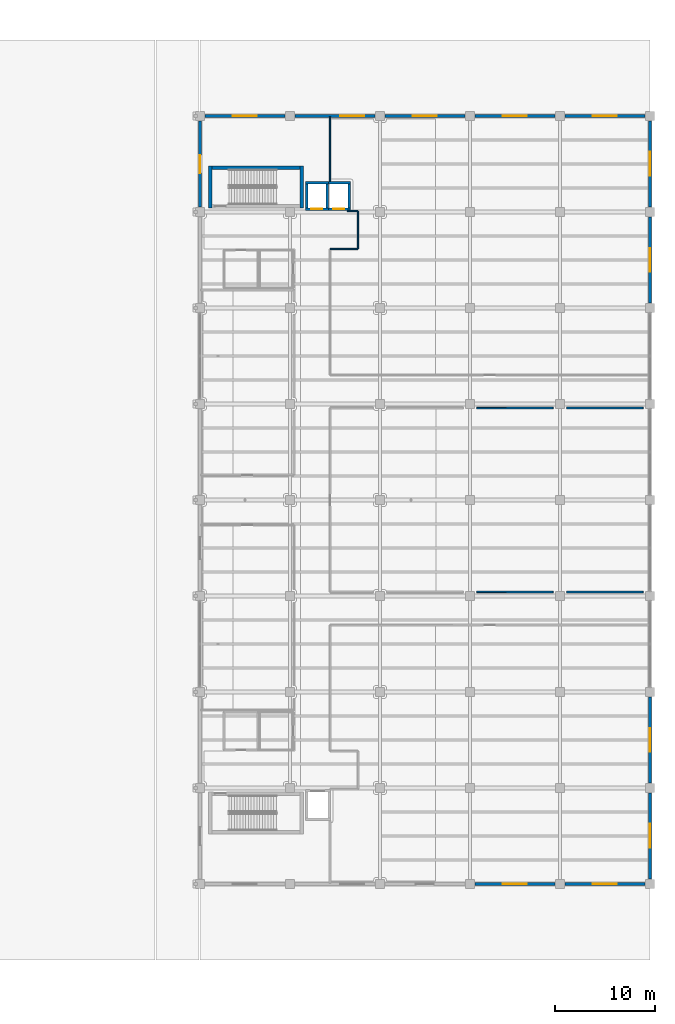
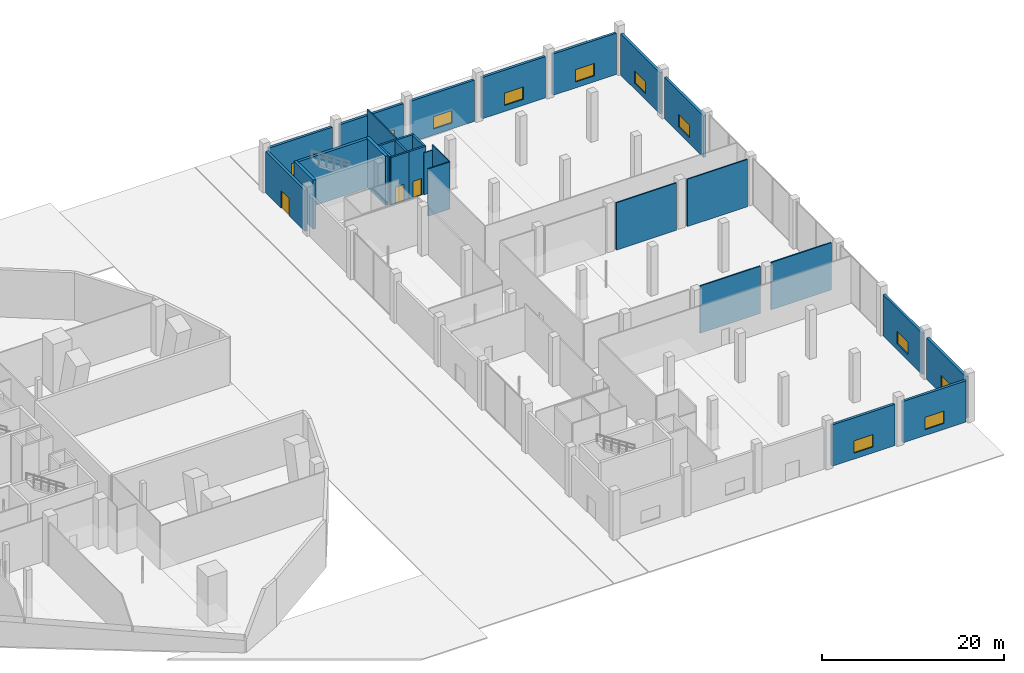
# One storey, part 33 of 45: 30 walls, 11 windows, 3 doors, 14 openings.
"""IFC4 building model written with IfcOpenShell, lengths in metres."""

import ifcopenshell
import ifcopenshell.guid

model = None  # the IFC model being written
_history = None  # IfcOwnerHistory: only IFC2X3 demands one
_inside = {}  # id of a spatial element -> (the spatial element, [elements in it])
_under = {}  # id of a project, library or spatial element -> (it, [spatial elements below it])
_declared = {}  # id of a project -> (the project, [libraries it declares])
_typed = {}  # id of a type object -> (the type object, [elements of that type])
_made_of = {}  # id of a material, layer set ... -> (it, [elements and type objects made of it])


def new_model(schema):
    """Start an empty IFC model of exactly this schema.

    Asked for "IFC4X3", IfcOpenShell would pick the latest addendum, in which some entities
    have other attributes; the version numbers below select the first issue.
    IFC2X3 requires an IfcOwnerHistory on every rooted entity: one is made here for all.
    """
    global model, _history
    if schema == "IFC4X3":
        model = ifcopenshell.file(schema_version=(4, 3, 0, 0))
    else:
        model = ifcopenshell.file(schema=schema)
    _inside.clear()
    _under.clear()
    _declared.clear()
    _typed.clear()
    _made_of.clear()
    _history = None
    if model.schema == "IFC2X3":
        org = make("IfcOrganization", Name="unknown")
        user = make(
            "IfcPersonAndOrganization",
            ThePerson=make("IfcPerson", FamilyName="unknown"),
            TheOrganization=org,
        )
        app = make(
            "IfcApplication",
            ApplicationDeveloper=org,
            Version="unknown",
            ApplicationFullName="unknown",
            ApplicationIdentifier="unknown",
        )
        _history = make(
            "IfcOwnerHistory",
            OwningUser=user,
            OwningApplication=app,
            ChangeAction="ADDED",
            CreationDate=0,
        )
    return model


def make(cls, **values):
    """One entity of the class cls with the attributes given. An attribute that is None is left unset."""
    return model.create_entity(
        cls, **{name: value for name, value in values.items() if value is not None}
    )


def rooted(cls, **values):
    """An entity with a GlobalId (a new one), such as an element, a storey or a relation."""
    return make(cls, GlobalId=ifcopenshell.guid.new(), OwnerHistory=_history, **values)


def si_unit(unit_type, name, prefix=None):
    """IfcSIUnit, for example si_unit("LENGTHUNIT", "METRE", prefix="MILLI")."""
    return make("IfcSIUnit", UnitType=unit_type, Prefix=prefix, Name=name)


def assignment(units):
    """IfcUnitAssignment: the units of a project."""
    return None if units is None else make("IfcUnitAssignment", Units=units)


def point(xyz):
    """IfcCartesianPoint."""
    return None if xyz is None else make("IfcCartesianPoint", Coordinates=xyz)


def direction(xyz):
    """IfcDirection."""
    return None if xyz is None else make("IfcDirection", DirectionRatios=xyz)


def frame(location, z_axis=None, x_axis=None):
    """IfcAxis2Placement3D, a coordinate frame: its origin and axes. An axis left out is left unset."""
    return make(
        "IfcAxis2Placement3D",
        Location=point(location),
        Axis=direction(z_axis),
        RefDirection=direction(x_axis),
    )


def frame_2d(location, x_axis=None):
    """IfcAxis2Placement2D, a coordinate frame in the plane: its origin and x axis."""
    return make(
        "IfcAxis2Placement2D", Location=point(location), RefDirection=direction(x_axis)
    )


def origin():
    """The frame at (0, 0, 0) with its axes left unset."""
    return frame((0.0, 0.0, 0.0))


def place(relative_to, where):
    """IfcLocalPlacement: puts the frame where relative to a parent placement (None: the world)."""
    return make(
        "IfcLocalPlacement", PlacementRelTo=relative_to, RelativePlacement=where
    )


def context(
    kind, dimensions, precision=None, world=None, true_north=None, identifier=None
):
    """IfcGeometricRepresentationContext, for example the 3D "Model" context."""
    return make(
        "IfcGeometricRepresentationContext",
        ContextIdentifier=identifier,
        ContextType=kind,
        CoordinateSpaceDimension=dimensions,
        Precision=precision,
        WorldCoordinateSystem=world,
        TrueNorth=true_north,
    )


def subcontext(parent, identifier, kind, view, scale=None):
    """IfcGeometricRepresentationSubContext, for example "Body" below "Model"."""
    return make(
        "IfcGeometricRepresentationSubContext",
        ContextIdentifier=identifier,
        ContextType=kind,
        ParentContext=parent,
        TargetScale=scale,
        TargetView=view,
    )


def project(units=None, contexts=None):
    """IfcProject with its units and contexts."""
    return rooted(
        "IfcProject",
        Name="project",
        RepresentationContexts=contexts,
        UnitsInContext=assignment(units),
    )


def spatial(cls, under=None, at=None, **own):
    """A site, building, storey or space (cls), placed at a placement, below another one or the project."""
    s = rooted(cls, ObjectPlacement=at, **own)
    if under is not None:
        _under.setdefault(under.id(), (under, []))[1].append(s)
    return s


def profile(cls, at=None, kind="AREA", **sizes):
    """A parametric profile (cls). Its sizes go by their IFC names, for example OverallWidth=200.0."""
    return make(cls, ProfileType=kind, Position=at, **sizes)


def rectangle(**sizes):
    """IfcRectangleProfileDef."""
    return profile("IfcRectangleProfileDef", **sizes)


def extrude(swept, where, along, depth):
    """IfcExtrudedAreaSolid: the profile swept, set in the frame where, extruded along a direction by depth."""
    return make(
        "IfcExtrudedAreaSolid",
        SweptArea=swept,
        Position=where,
        ExtrudedDirection=direction(along),
        Depth=depth,
    )


def shape(context_of_items, identifier, shape_type, items):
    """IfcShapeRepresentation: the items that make up one representation, for example the "Body"."""
    return make(
        "IfcShapeRepresentation",
        ContextOfItems=context_of_items,
        RepresentationIdentifier=identifier,
        RepresentationType=shape_type,
        Items=items,
    )


def material(Name=None, Category=None):
    """IfcMaterial."""
    return make("IfcMaterial", Name=Name, Category=Category)


def layer(
    of_material, thickness, ventilated=None, Name=None, Category=None, Priority=None
):
    """IfcMaterialLayer: one layer of a wall or slab, of a material (None: an air gap)."""
    return make(
        "IfcMaterialLayer",
        Material=of_material,
        LayerThickness=thickness,
        IsVentilated=ventilated,
        Name=Name,
        Category=Category,
        Priority=Priority,
    )


def layer_set(layers, Name=None):
    """IfcMaterialLayerSet."""
    return make("IfcMaterialLayerSet", MaterialLayers=layers, LayerSetName=Name)


def made_of(thing, what):
    """Note that an element or type object is made of a material, layer set ...; save() writes the relation."""
    if what is not None:
        _made_of.setdefault(what.id(), (what, []))[1].append(thing)
    return thing


def type_object(cls, material=None, **own):
    """A type object (cls), such as IfcWallType, which elements share."""
    return made_of(rooted(cls, **own), material)


def element(
    cls,
    number,
    at=None,
    inside=None,
    cuts=None,
    type_object=None,
    material=None,
    context=None,
    identifier="Body",
    shape_type=None,
    held_by="IfcProductDefinitionShape",
    body=None,
    shapes=None,
    **own,
):
    """One element of the class cls, such as IfcWall. Its Tag is "e" and its number.

    at: its placement. inside: the storey or other place that contains it. cuts: it is an
    opening in that element (IfcRelVoidsElement). A single representation is given by context,
    identifier, shape_type and body (its items); several are given by shapes. held_by: the class
    of the entity that holds the representations. save() writes the other relations.
    """
    e = rooted(cls, Tag="e%d" % number, ObjectPlacement=at, **own)
    if body is not None:
        shapes = [shape(context, identifier, shape_type, body)]
    if shapes is not None:
        e.Representation = make(held_by, Representations=shapes)
    if inside is not None:
        _inside.setdefault(inside.id(), (inside, []))[1].append(e)
    if cuts is not None:
        rooted(
            "IfcRelVoidsElement", RelatingBuildingElement=cuts, RelatedOpeningElement=e
        )
    if type_object is not None:
        _typed.setdefault(type_object.id(), (type_object, []))[1].append(e)
    return made_of(e, material)


def fill(opening, filler):
    """IfcRelFillsElement: the door or window that sits in an opening."""
    return rooted(
        "IfcRelFillsElement",
        RelatingOpeningElement=opening,
        RelatedBuildingElement=filler,
    )


def aggregate(whole, parts):
    """IfcRelAggregates: a whole, such as a stair, and the parts it consists of."""
    return rooted("IfcRelAggregates", RelatingObject=whole, RelatedObjects=parts)


def save(model, path):
    """Write the relations noted so far, then the file.

    IfcRelAggregates (storeys below a building ...), IfcRelContainedInSpatialStructure (elements
    in a storey), IfcRelDefinesByType, IfcRelAssociatesMaterial and IfcRelDeclares: one each for
    every whole, place, type object, material and project.
    """
    for whole, parts in _under.values():
        aggregate(whole, parts)
    for where, things in _inside.values():
        rooted(
            "IfcRelContainedInSpatialStructure",
            RelatedElements=things,
            RelatingStructure=where,
        )
    for kind, things in _typed.values():
        rooted("IfcRelDefinesByType", RelatedObjects=things, RelatingType=kind)
    for what, things in _made_of.values():
        rooted("IfcRelAssociatesMaterial", RelatedObjects=things, RelatingMaterial=what)
    for by, libraries in _declared.values():
        rooted("IfcRelDeclares", RelatingContext=by, RelatedDefinitions=libraries)
    model.write(path)


model = new_model("IFC4")

# Units and contexts
model_context = context("Model", 3, precision=1e-05, world=origin(), true_north=direction((0.0, 1.0)))
body_context = subcontext(model_context, "Body", "Model", "MODEL_VIEW")
ifc_project = project(units=[si_unit("LENGTHUNIT", "METRE"), si_unit("AREAUNIT", "SQUARE_METRE"), si_unit("VOLUMEUNIT", "CUBIC_METRE"), si_unit("PLANEANGLEUNIT", "RADIAN"), si_unit("MASSUNIT", "GRAM", prefix="KILO")], contexts=[model_context])

# Site, building, storey
site_placement = place(None, origin())
site = spatial("IfcSite", under=ifc_project, at=site_placement, CompositionType="ELEMENT")
building_placement = place(site_placement, origin())
building = spatial("IfcBuilding", under=site, at=building_placement, Name="Qorvath Tower", CompositionType="ELEMENT")
storey_placement = place(building_placement, origin())
storey = spatial("IfcBuildingStorey", under=building, at=storey_placement, Name="L00", CompositionType="ELEMENT", Elevation=0.0)

# Walls
ifc_material_1 = material(Name="Double acoustic gypsum board on steel studs", Category="steel")
ifc_layer_1 = layer(ifc_material_1, 0.159912109375)
ifc_layer_set_1 = layer_set([ifc_layer_1], Name="IW-ACOUSTIC-160")
wall_type_1 = type_object("IfcWallType", Name="IW-ACOUSTIC-160", PredefinedType="PARTITIONING", material=ifc_layer_set_1)
for number, where, z_axis, x_axis, name in (
    (1, (69.074951171875, -9.199951171875, 0.0), (0.0, 0.0, 1.0), (1.0, 0.0, 0.0), "Interior Partition IW-LB-L00-034"),
    (2, (76.72509765625, 9.199951171875, 0.0), (0.0, 0.0, 1.0), (-1.0, 0.0, 0.0), "Interior Partition IW-LB-L00-035"),
    (3, (67.72509765625, 9.199951171875, 0.0), (0.0, 0.0, 1.0), (-0.999999445453, -0.001053134888, 0.0), "Interior Partition IW-LB-L00-036"),
    (4, (60.074951171875, -9.19189453125, 0.0), (0.0, 0.0, 1.0), (0.999999445453, -0.001053134888, 0.0), "Interior Partition IW-LB-L00-042"),
):
    element("IfcWall", number, at=place(storey_placement, frame(where, z_axis=z_axis, x_axis=x_axis)), inside=storey, type_object=wall_type_1, Name=name, PredefinedType="PARTITIONING", context=body_context, shape_type="SweptSolid", body=[
        extrude(rectangle(XDim=7.650146484375, YDim=0.159912109375, at=frame_2d((3.8251953125, 0.0))), origin(), (0.0, 0.0, 1.0), 6.340087890625),
    ])
ifc_material_2 = material(Name="Gypsum board on metal studs with mineral wool", Category="gypsum")
ifc_layer_2 = layer(ifc_material_2, 0.125)
ifc_layer_set_2 = layer_set([ifc_layer_2], Name="IW-PART-125")
wall_type_2 = type_object("IfcWallType", Name="IW-PART-125", PredefinedType="PARTITIONING", material=ifc_layer_set_2)
wall_1_placement = place(storey_placement, frame((48.18310546875, 28.907958984375, 0.0), z_axis=(0.0, 0.0, 1.0), x_axis=(-1.0, 0.0, 0.0)))
element("IfcWall", 5, at=wall_1_placement, inside=storey, type_object=wall_type_2, Name="Interior Partition IW-LB-L00-022", PredefinedType="PARTITIONING", context=body_context, shape_type="SweptSolid", body=[
    extrude(rectangle(XDim=1.05810546875, YDim=0.125, at=frame_2d((0.529052734375, 0.0))), origin(), (0.0, 0.0, 1.0), 5.6142578125),
])
wall_2_placement = place(storey_placement, frame((48.2080078125, 28.883056640625, 0.0), z_axis=(0.0, 0.0, 1.0), x_axis=(0.0, -1.0, 0.0)))
element("IfcWall", 6, at=wall_2_placement, inside=storey, type_object=wall_type_2, Name="Interior Partition IW-LB-L00-023", PredefinedType="PARTITIONING", context=body_context, shape_type="SweptSolid", body=[
    extrude(rectangle(XDim=3.745849609375, YDim=0.125, at=frame_2d((1.873046875, 0.0))), origin(), (0.0, 0.0, 1.0), 6.340087890625),
])
wall_3_placement = place(storey_placement, frame((45.43310546875, 25.112060546875, 0.0), z_axis=(0.0, 0.0, 1.0), x_axis=(1.0, 0.0, 0.0)))
element("IfcWall", 7, at=wall_3_placement, inside=storey, type_object=wall_type_2, Name="Interior Partition IW-LB-L00-024", PredefinedType="PARTITIONING", context=body_context, shape_type="SweptSolid", body=[
    extrude(rectangle(XDim=2.75, YDim=0.125, at=frame_2d((1.375, 0.0))), origin(), (0.0, 0.0, 1.0), 6.340087890625),
])
wall_4_placement = place(storey_placement, frame((45.39990234375, 38.320068359375, 0.0), z_axis=(0.0, 0.0, 1.0), x_axis=(0.0, -1.0, 0.0)))
element("IfcWall", 8, at=wall_4_placement, inside=storey, type_object=wall_type_2, Name="Interior Partition IW-LB-L00-027", PredefinedType="PARTITIONING", context=body_context, shape_type="SweptSolid", body=[
    extrude(rectangle(XDim=6.43505859375, YDim=0.125, at=frame_2d((3.217529296875, 0.0))), origin(), (0.0, 0.0, 1.0), 6.340087890625),
])

# Wall, opening, door
ifc_material_3 = material(Name="Concrete C60/75", Category="concrete")
ifc_layer_3 = layer(ifc_material_3, 0.260009765625)
ifc_layer_set_3 = layer_set([ifc_layer_3], Name="SW-SHAFT")
wall_type_3 = type_object("IfcWallType", Name="SW-SHAFT", PredefinedType="SHEAR", material=ifc_layer_set_3)
wall_5_placement = place(storey_placement, frame((45.239990234375, 29.080078125, 0.0), z_axis=(0.0, 0.0, 1.0), x_axis=(-1.0, 0.0, 0.0)))
wall_5 = element("IfcWall", 9, at=wall_5_placement, inside=storey, type_object=wall_type_3, Name="Hoistway Wall LL-1 L00 S", PredefinedType="SHEAR", context=body_context, shape_type="SweptSolid", body=[
    extrude(rectangle(XDim=2.280029296875, YDim=0.239990234375, at=frame_2d((1.14013671875, 0.0))), origin(), (0.0, 0.0, 1.0), 6.340087890625),
])
opening_1_placement = place(wall_5_placement, frame((0.58984375, 0.0, 0.0)))
opening_1 = element("IfcOpeningElement", 10, at=opening_1_placement, cuts=wall_5, Name="Opening LD-LL-1-L00", PredefinedType="OPENING", context=body_context, shape_type="SweptSolid", body=[
    extrude(rectangle(XDim=1.10009765625, YDim=2.199951171875, at=frame_2d((0.550048828125, 1.10009765625))), frame((0.0, 0.1298828125, 0.0), z_axis=(0.0, -1.0, 0.0), x_axis=(1.0, 0.0, 0.0)), (0.0, 0.0, 1.0), 0.260009765625),
])
ifc_material_4 = material(Name="Brushed stainless steel AISI 316", Category="steel")
door_type_1 = type_object("IfcDoorType", Name="LD-01", OperationType="NOTDEFINED", PredefinedType="DOOR", material=ifc_material_4)
door_1_placement = place(opening_1_placement, origin())
door_1 = element("IfcDoor", 11, at=door_1_placement, inside=storey, type_object=door_type_1, Name="Elevator Landing Sliding Door LD-LL-1-L00", OperationType="DOUBLE_DOOR_SLIDING", OverallHeight=2.199951171875, OverallWidth=1.10009765625, PredefinedType="DOOR", context=body_context, shape_type="SweptSolid", body=[
    extrude(rectangle(XDim=1.10009765625, YDim=2.199951171875, at=frame_2d((0.550048828125, 1.10009765625))), frame((0.0, 0.02490234375, 0.0), z_axis=(0.0, -1.0, 0.0), x_axis=(1.0, 0.0, 0.0)), (0.0, 0.0, 1.0), 0.050048828125),
])
fill(opening_1, door_1)

# Walls
wall_6_placement = place(storey_placement, frame((42.9599609375, 31.719970703125, 0.0), z_axis=(0.0, 0.0, 1.0), x_axis=(1.0, 0.0, 0.0)))
element("IfcWall", 12, at=wall_6_placement, inside=storey, type_object=wall_type_3, Name="Hoistway Wall LL-1 L00 N", PredefinedType="SHEAR", context=body_context, shape_type="SweptSolid", body=[
    extrude(rectangle(XDim=2.280029296875, YDim=0.239990234375, at=frame_2d((1.14013671875, 0.0))), origin(), (0.0, 0.0, 1.0), 6.340087890625),
])
for number, where, z_axis, x_axis, name in (
    (13, (43.080078125, 29.2119140625, 0.0), (0.0, 0.0, 1.0), (0.0, 1.0, 0.0), "Hoistway Wall LL-1 L00 W"),
    (14, (45.1201171875, 31.587890625, 0.0), (0.0, 0.0, 1.0), (0.0, -1.0, 0.0), "Hoistway Wall LL-1 L00 E"),
):
    element("IfcWall", number, at=place(storey_placement, frame(where, z_axis=z_axis, x_axis=x_axis)), inside=storey, type_object=wall_type_3, Name=name, PredefinedType="SHEAR", context=body_context, shape_type="SweptSolid", body=[
        extrude(rectangle(XDim=2.3759765625, YDim=0.239990234375, at=frame_2d((1.18798828125, 0.0))), origin(), (0.0, 0.0, 1.0), 6.340087890625),
    ])

# Wall, opening, door
wall_7_placement = place(storey_placement, frame((47.43994140625, 29.080078125, 0.0), z_axis=(0.0, 0.0, 1.0), x_axis=(-1.0, 0.0, 0.0)))
wall_7 = element("IfcWall", 15, at=wall_7_placement, inside=storey, type_object=wall_type_3, Name="Hoistway Wall LL-2 L00 S", PredefinedType="SHEAR", context=body_context, shape_type="SweptSolid", body=[
    extrude(rectangle(XDim=2.199951171875, YDim=0.239990234375, at=frame_2d((1.10009765625, 0.0))), origin(), (0.0, 0.0, 1.0), 6.340087890625),
])
opening_2_placement = place(wall_7_placement, frame((0.58984375, 0.0, 0.0)))
opening_2 = element("IfcOpeningElement", 16, at=opening_2_placement, cuts=wall_7, Name="Opening LD-LL-2-L00", PredefinedType="OPENING", context=body_context, shape_type="SweptSolid", body=[
    extrude(rectangle(XDim=1.10009765625, YDim=2.199951171875, at=frame_2d((0.550048828125, 1.10009765625))), frame((0.0, 0.1298828125, 0.0), z_axis=(0.0, -1.0, 0.0), x_axis=(1.0, 0.0, 0.0)), (0.0, 0.0, 1.0), 0.260009765625),
])
door_2_placement = place(opening_2_placement, origin())
door_2 = element("IfcDoor", 17, at=door_2_placement, inside=storey, type_object=door_type_1, Name="Elevator Landing Sliding Door LD-LL-2-L00", OperationType="DOUBLE_DOOR_SLIDING", OverallHeight=2.199951171875, OverallWidth=1.10009765625, PredefinedType="DOOR", context=body_context, shape_type="SweptSolid", body=[
    extrude(rectangle(XDim=1.10009765625, YDim=2.199951171875, at=frame_2d((0.550048828125, 1.10009765625))), frame((0.0, 0.02490234375, 0.0), z_axis=(0.0, -1.0, 0.0), x_axis=(1.0, 0.0, 0.0)), (0.0, 0.0, 1.0), 0.050048828125),
])
fill(opening_2, door_2)

# Walls
wall_8_placement = place(storey_placement, frame((45.239990234375, 31.719970703125, 0.0), z_axis=(0.0, 0.0, 1.0), x_axis=(1.0, 0.0, 0.0)))
element("IfcWall", 18, at=wall_8_placement, inside=storey, type_object=wall_type_3, Name="Hoistway Wall LL-2 L00 N", PredefinedType="SHEAR", context=body_context, shape_type="SweptSolid", body=[
    extrude(rectangle(XDim=2.199951171875, YDim=0.239990234375, at=frame_2d((1.10009765625, 0.0))), origin(), (0.0, 0.0, 1.0), 6.340087890625),
])
wall_9_placement = place(storey_placement, frame((47.320068359375, 31.587890625, 0.0), z_axis=(0.0, 0.0, 1.0), x_axis=(0.0, -1.0, 0.0)))
element("IfcWall", 19, at=wall_9_placement, inside=storey, type_object=wall_type_3, Name="Hoistway Wall LL-2 L00 E", PredefinedType="SHEAR", context=body_context, shape_type="SweptSolid", body=[
    extrude(rectangle(XDim=2.3759765625, YDim=0.239990234375, at=frame_2d((1.18798828125, 0.0))), origin(), (0.0, 0.0, 1.0), 6.340087890625),
])
ifc_material_5 = material(Name="Concrete C60/75", Category="concrete")
ifc_layer_4 = layer(ifc_material_5, 0.35009765625)
ifc_layer_set_4 = layer_set([ifc_layer_4], Name="SW-STAIR")
wall_type_4 = type_object("IfcWallType", Name="SW-STAIR", PredefinedType="SHEAR", material=ifc_layer_set_4)
for number, where, z_axis, x_axis, name in (
    (20, (33.425048828125, 33.409912109375, 0.0), (0.0, 0.0, 1.0), (0.0, -1.0, 0.0), "Stair LS1 Shear Wall L00 NEAR"),
    (21, (42.574951171875, 29.199951171875, 0.0), (0.0, 0.0, 1.0), (0.0, 1.0, 0.0), "Stair LS1 Shear Wall L00 FAR"),
):
    element("IfcWall", number, at=place(storey_placement, frame(where, z_axis=z_axis, x_axis=x_axis)), inside=storey, type_object=wall_type_4, Name=name, PredefinedType="SHEAR", context=body_context, shape_type="SweptSolid", body=[
        extrude(rectangle(XDim=4.2099609375, YDim=0.35009765625, at=frame_2d((2.10498046875, 0.0))), origin(), (0.0, 0.0, 1.0), 6.594970703125),
    ])
wall_10_placement = place(storey_placement, frame((42.385009765625, 33.235107421875, 0.0), z_axis=(0.0, 0.0, 1.0), x_axis=(-1.0, 0.0, 0.0)))
element("IfcWall", 22, at=wall_10_placement, inside=storey, type_object=wall_type_4, Name="Stair LS1 Shear Wall L00 RIGHT", PredefinedType="SHEAR", context=body_context, shape_type="SweptSolid", body=[
    extrude(rectangle(XDim=8.77001953125, YDim=0.35009765625, at=frame_2d((4.385009765625, 0.0))), origin(), (0.0, 0.0, 1.0), 6.594970703125),
])

# Wall, opening, door
ifc_material_6 = material(Name="Precast concrete C45/55", Category="concrete")
ifc_layer_5 = layer(ifc_material_6, 0.320068359375)
ifc_layer_set_5 = layer_set([ifc_layer_5], Name="WL-EW-LIB-320")
wall_type_5 = type_object("IfcWallType", Name="WL-EW-LIB-320", PredefinedType="SOLIDWALL", material=ifc_layer_set_5)
wall_11_placement = place(storey_placement, frame((32.39990234375, 29.294921875, 0.0), z_axis=(0.0, 0.0, 1.0), x_axis=(0.0, 1.0, 0.0)))
wall_11 = element("IfcWall", 23, at=wall_11_placement, inside=storey, type_object=wall_type_5, Name="Library West Precast Facade Wall L00-8", PredefinedType="SOLIDWALL", context=body_context, shape_type="SweptSolid", body=[
    extrude(rectangle(XDim=8.610107421875, YDim=0.320068359375, at=frame_2d((4.30517578125, 0.0))), origin(), (0.0, 0.0, 1.0), 5.537109375),
])
opening_3_placement = place(wall_11_placement, frame((3.405029296875, 0.0, 0.0)))
opening_3 = element("IfcOpeningElement", 24, at=opening_3_placement, cuts=wall_11, Name="Opening ED-LS1-01", PredefinedType="OPENING", context=body_context, shape_type="SweptSolid", body=[
    extrude(rectangle(XDim=1.800048828125, YDim=2.35009765625, at=frame_2d((0.89990234375, 1.175048828125))), frame((0.0, 0.169921875, 0.0), z_axis=(0.0, -1.0, 0.0), x_axis=(1.0, 0.0, 0.0)), (0.0, 0.0, 1.0), 0.340087890625),
])
ifc_material_7 = material(Name="Anodised aluminium and tempered glass", Category="aluminium")
door_type_2 = type_object("IfcDoorType", Name="ED-01", OperationType="NOTDEFINED", PredefinedType="DOOR", material=ifc_material_7)
door_3_placement = place(opening_3_placement, origin())
door_3 = element("IfcDoor", 25, at=door_3_placement, inside=storey, type_object=door_type_2, Name="Library Stair LS1 Exterior Discharge Door", OperationType="SINGLE_SWING_RIGHT", OverallHeight=2.35009765625, OverallWidth=1.800048828125, PredefinedType="DOOR", context=body_context, shape_type="SweptSolid", body=[
    extrude(rectangle(XDim=1.800048828125, YDim=2.35009765625, at=frame_2d((0.89990234375, 1.175048828125))), frame((0.0, 0.02490234375, 0.0), z_axis=(0.0, -1.0, 0.0), x_axis=(1.0, 0.0, 0.0)), (0.0, 0.0, 1.0), 0.050048828125),
])
fill(opening_3, door_3)

# Wall, opening, window
wall_12_placement = place(storey_placement, frame((77.39990234375, -29.294921875, 0.0), z_axis=(0.0, 0.0, 1.0), x_axis=(0.0, -1.0, 0.0)))
wall_12 = element("IfcWall", 26, at=wall_12_placement, inside=storey, type_object=wall_type_5, Name="Library E Precast Wall L00-1", PredefinedType="SOLIDWALL", context=body_context, shape_type="SweptSolid", body=[
    extrude(rectangle(XDim=8.610107421875, YDim=0.320068359375, at=frame_2d((4.30517578125, 0.0))), origin(), (0.0, 0.0, 1.0), 5.537109375),
])
opening_4_placement = place(wall_12_placement, frame((3.10498046875, 0.0, 0.800048828125)))
opening_4 = element("IfcOpeningElement", 27, at=opening_4_placement, cuts=wall_12, Name="Opening WN-L-070", PredefinedType="OPENING", context=body_context, shape_type="SweptSolid", body=[
    extrude(rectangle(XDim=2.39990234375, YDim=1.64990234375, at=frame_2d((1.199951171875, 0.824951171875))), frame((0.0, 0.169921875, 0.0), z_axis=(0.0, -1.0, 0.0), x_axis=(1.0, 0.0, 0.0)), (0.0, 0.0, 1.0), 0.340087890625),
])
ifc_material_8 = material(Name="Thermally broken aluminium and triple low-E glass", Category="aluminium")
window_type = type_object("IfcWindowType", Name="WN-2", PartitioningType="SINGLE_PANEL", PredefinedType="WINDOW", material=ifc_material_8)
window_1_placement = place(opening_4_placement, origin())
window_1 = element("IfcWindow", 28, at=window_1_placement, inside=storey, type_object=window_type, Name="Library Reading Punched Window 070", OverallHeight=1.64990234375, OverallWidth=2.39990234375, PartitioningType="SINGLE_PANEL", PredefinedType="WINDOW", context=body_context, shape_type="SweptSolid", body=[
    extrude(rectangle(XDim=2.39990234375, YDim=1.64990234375, at=frame_2d((1.199951171875, 0.824951171875))), frame((0.0, 0.030029296875, 0.0), z_axis=(0.0, -1.0, 0.0), x_axis=(1.0, 0.0, 0.0)), (0.0, 0.0, 1.0), 0.06005859375),
])
fill(opening_4, window_1)

wall_13_placement = place(storey_placement, frame((77.39990234375, -19.695068359375, 0.0), z_axis=(0.0, 0.0, 1.0), x_axis=(0.0, -1.0, 0.0)))
wall_13 = element("IfcWall", 29, at=wall_13_placement, inside=storey, type_object=wall_type_5, Name="Library E Precast Wall L00-2", PredefinedType="SOLIDWALL", context=body_context, shape_type="SweptSolid", body=[
    extrude(rectangle(XDim=8.60986328125, YDim=0.320068359375, at=frame_2d((4.304931640625, 0.0))), origin(), (0.0, 0.0, 1.0), 5.537109375),
])
opening_5_placement = place(wall_13_placement, frame((3.10498046875, 0.0, 0.800048828125)))
opening_5 = element("IfcOpeningElement", 30, at=opening_5_placement, cuts=wall_13, Name="Opening WN-L-071", PredefinedType="OPENING", context=body_context, shape_type="SweptSolid", body=[
    extrude(rectangle(XDim=2.39990234375, YDim=1.64990234375, at=frame_2d((1.199951171875, 0.824951171875))), frame((0.0, 0.169921875, 0.0), z_axis=(0.0, -1.0, 0.0), x_axis=(1.0, 0.0, 0.0)), (0.0, 0.0, 1.0), 0.340087890625),
])
window_2_placement = place(opening_5_placement, origin())
window_2 = element("IfcWindow", 31, at=window_2_placement, inside=storey, type_object=window_type, Name="Library Reading Punched Window 071", OverallHeight=1.64990234375, OverallWidth=2.39990234375, PartitioningType="SINGLE_PANEL", PredefinedType="WINDOW", context=body_context, shape_type="SweptSolid", body=[
    extrude(rectangle(XDim=2.39990234375, YDim=1.64990234375, at=frame_2d((1.199951171875, 0.824951171875))), frame((0.0, 0.030029296875, 0.0), z_axis=(0.0, -1.0, 0.0), x_axis=(1.0, 0.0, 0.0)), (0.0, 0.0, 1.0), 0.06005859375),
])
fill(opening_5, window_2)

wall_14_placement = place(storey_placement, frame((77.39990234375, 28.304931640625, 0.0), z_axis=(0.0, 0.0, 1.0), x_axis=(0.0, -1.0, 0.0)))
wall_14 = element("IfcWall", 32, at=wall_14_placement, inside=storey, type_object=wall_type_5, Name="Library E Precast Wall L00-7", PredefinedType="SOLIDWALL", context=body_context, shape_type="SweptSolid", body=[
    extrude(rectangle(XDim=8.60986328125, YDim=0.320068359375, at=frame_2d((4.304931640625, 0.0))), origin(), (0.0, 0.0, 1.0), 5.537109375),
])
opening_6_placement = place(wall_14_placement, frame((3.10498046875, 0.0, 0.800048828125)))
opening_6 = element("IfcOpeningElement", 33, at=opening_6_placement, cuts=wall_14, Name="Opening WN-L-072", PredefinedType="OPENING", context=body_context, shape_type="SweptSolid", body=[
    extrude(rectangle(XDim=2.39990234375, YDim=1.64990234375, at=frame_2d((1.199951171875, 0.824951171875))), frame((0.0, 0.169921875, 0.0), z_axis=(0.0, -1.0, 0.0), x_axis=(1.0, 0.0, 0.0)), (0.0, 0.0, 1.0), 0.340087890625),
])
window_3_placement = place(opening_6_placement, origin())
window_3 = element("IfcWindow", 34, at=window_3_placement, inside=storey, type_object=window_type, Name="Library Reading Punched Window 072", OverallHeight=1.64990234375, OverallWidth=2.39990234375, PartitioningType="SINGLE_PANEL", PredefinedType="WINDOW", context=body_context, shape_type="SweptSolid", body=[
    extrude(rectangle(XDim=2.39990234375, YDim=1.64990234375, at=frame_2d((1.199951171875, 0.824951171875))), frame((0.0, 0.030029296875, 0.0), z_axis=(0.0, -1.0, 0.0), x_axis=(1.0, 0.0, 0.0)), (0.0, 0.0, 1.0), 0.06005859375),
])
fill(opening_6, window_3)

wall_15_placement = place(storey_placement, frame((77.39990234375, 37.905029296875, 0.0), z_axis=(0.0, 0.0, 1.0), x_axis=(0.0, -1.0, 0.0)))
wall_15 = element("IfcWall", 35, at=wall_15_placement, inside=storey, type_object=wall_type_5, Name="Library E Precast Wall L00-8", PredefinedType="SOLIDWALL", context=body_context, shape_type="SweptSolid", body=[
    extrude(rectangle(XDim=8.610107421875, YDim=0.320068359375, at=frame_2d((4.30517578125, 0.0))), origin(), (0.0, 0.0, 1.0), 5.537109375),
])
opening_7_placement = place(wall_15_placement, frame((3.10498046875, 0.0, 0.800048828125)))
opening_7 = element("IfcOpeningElement", 36, at=opening_7_placement, cuts=wall_15, Name="Opening WN-L-073", PredefinedType="OPENING", context=body_context, shape_type="SweptSolid", body=[
    extrude(rectangle(XDim=2.39990234375, YDim=1.64990234375, at=frame_2d((1.199951171875, 0.824951171875))), frame((0.0, 0.169921875, 0.0), z_axis=(0.0, -1.0, 0.0), x_axis=(1.0, 0.0, 0.0)), (0.0, 0.0, 1.0), 0.340087890625),
])
window_4_placement = place(opening_7_placement, origin())
window_4 = element("IfcWindow", 37, at=window_4_placement, inside=storey, type_object=window_type, Name="Library Reading Punched Window 073", OverallHeight=1.64990234375, OverallWidth=2.39990234375, PartitioningType="SINGLE_PANEL", PredefinedType="WINDOW", context=body_context, shape_type="SweptSolid", body=[
    extrude(rectangle(XDim=2.39990234375, YDim=1.64990234375, at=frame_2d((1.199951171875, 0.824951171875))), frame((0.0, 0.030029296875, 0.0), z_axis=(0.0, -1.0, 0.0), x_axis=(1.0, 0.0, 0.0)), (0.0, 0.0, 1.0), 0.06005859375),
])
fill(opening_7, window_4)

wall_16_placement = place(storey_placement, frame((68.89501953125, 38.39990234375, 0.0), z_axis=(0.0, 0.0, 1.0), x_axis=(1.0, 0.0, 0.0)))
wall_16 = element("IfcWall", 38, at=wall_16_placement, inside=storey, type_object=wall_type_5, Name="Library N Precast Wall L00-1", PredefinedType="SOLIDWALL", context=body_context, shape_type="SweptSolid", body=[
    extrude(rectangle(XDim=8.010009765625, YDim=0.320068359375, at=frame_2d((4.0048828125, 0.0))), origin(), (0.0, 0.0, 1.0), 5.537109375),
])
opening_8_placement = place(wall_16_placement, frame((2.804931640625, 0.0, 0.800048828125)))
opening_8 = element("IfcOpeningElement", 39, at=opening_8_placement, cuts=wall_16, Name="Opening WN-L-074", PredefinedType="OPENING", context=body_context, shape_type="SweptSolid", body=[
    extrude(rectangle(XDim=2.39990234375, YDim=1.64990234375, at=frame_2d((1.199951171875, 0.824951171875))), frame((0.0, 0.169921875, 0.0), z_axis=(0.0, -1.0, 0.0), x_axis=(1.0, 0.0, 0.0)), (0.0, 0.0, 1.0), 0.340087890625),
])
window_5_placement = place(opening_8_placement, origin())
window_5 = element("IfcWindow", 40, at=window_5_placement, inside=storey, type_object=window_type, Name="Library Reading Punched Window 074", OverallHeight=1.64990234375, OverallWidth=2.39990234375, PartitioningType="SINGLE_PANEL", PredefinedType="WINDOW", context=body_context, shape_type="SweptSolid", body=[
    extrude(rectangle(XDim=2.39990234375, YDim=1.64990234375, at=frame_2d((1.199951171875, 0.824951171875))), frame((0.0, 0.030029296875, 0.0), z_axis=(0.0, -1.0, 0.0), x_axis=(1.0, 0.0, 0.0)), (0.0, 0.0, 1.0), 0.06005859375),
])
fill(opening_8, window_5)

wall_17_placement = place(storey_placement, frame((59.89501953125, 38.39990234375, 0.0), z_axis=(0.0, 0.0, 1.0), x_axis=(1.0, 0.0, 0.0)))
wall_17 = element("IfcWall", 41, at=wall_17_placement, inside=storey, type_object=wall_type_5, Name="Library N Precast Wall L00-2", PredefinedType="SOLIDWALL", context=body_context, shape_type="SweptSolid", body=[
    extrude(rectangle(XDim=8.010009765625, YDim=0.320068359375, at=frame_2d((4.0048828125, 0.0))), origin(), (0.0, 0.0, 1.0), 5.537109375),
])
opening_9_placement = place(wall_17_placement, frame((2.804931640625, 0.0, 0.800048828125)))
opening_9 = element("IfcOpeningElement", 42, at=opening_9_placement, cuts=wall_17, Name="Opening WN-L-075", PredefinedType="OPENING", context=body_context, shape_type="SweptSolid", body=[
    extrude(rectangle(XDim=2.39990234375, YDim=1.64990234375, at=frame_2d((1.199951171875, 0.824951171875))), frame((0.0, 0.169921875, 0.0), z_axis=(0.0, -1.0, 0.0), x_axis=(1.0, 0.0, 0.0)), (0.0, 0.0, 1.0), 0.340087890625),
])
window_6_placement = place(opening_9_placement, origin())
window_6 = element("IfcWindow", 43, at=window_6_placement, inside=storey, type_object=window_type, Name="Library Reading Punched Window 075", OverallHeight=1.64990234375, OverallWidth=2.39990234375, PartitioningType="SINGLE_PANEL", PredefinedType="WINDOW", context=body_context, shape_type="SweptSolid", body=[
    extrude(rectangle(XDim=2.39990234375, YDim=1.64990234375, at=frame_2d((1.199951171875, 0.824951171875))), frame((0.0, 0.030029296875, 0.0), z_axis=(0.0, -1.0, 0.0), x_axis=(1.0, 0.0, 0.0)), (0.0, 0.0, 1.0), 0.06005859375),
])
fill(opening_9, window_6)

wall_18_placement = place(storey_placement, frame((50.89501953125, 38.39990234375, 0.0), z_axis=(0.0, 0.0, 1.0), x_axis=(1.0, 0.0, 0.0)))
wall_18 = element("IfcWall", 44, at=wall_18_placement, inside=storey, type_object=wall_type_5, Name="Library N Precast Wall L00-3", PredefinedType="SOLIDWALL", context=body_context, shape_type="SweptSolid", body=[
    extrude(rectangle(XDim=8.010009765625, YDim=0.320068359375, at=frame_2d((4.0048828125, 0.0))), origin(), (0.0, 0.0, 1.0), 5.537109375),
])
opening_10_placement = place(wall_18_placement, frame((2.804931640625, 0.0, 0.800048828125)))
opening_10 = element("IfcOpeningElement", 45, at=opening_10_placement, cuts=wall_18, Name="Opening WN-L-076", PredefinedType="OPENING", context=body_context, shape_type="SweptSolid", body=[
    extrude(rectangle(XDim=2.39990234375, YDim=1.64990234375, at=frame_2d((1.199951171875, 0.824951171875))), frame((0.0, 0.169921875, 0.0), z_axis=(0.0, -1.0, 0.0), x_axis=(1.0, 0.0, 0.0)), (0.0, 0.0, 1.0), 0.340087890625),
])
window_7_placement = place(opening_10_placement, origin())
window_7 = element("IfcWindow", 46, at=window_7_placement, inside=storey, type_object=window_type, Name="Library Reading Punched Window 076", OverallHeight=1.64990234375, OverallWidth=2.39990234375, PartitioningType="SINGLE_PANEL", PredefinedType="WINDOW", context=body_context, shape_type="SweptSolid", body=[
    extrude(rectangle(XDim=2.39990234375, YDim=1.64990234375, at=frame_2d((1.199951171875, 0.824951171875))), frame((0.0, 0.030029296875, 0.0), z_axis=(0.0, -1.0, 0.0), x_axis=(1.0, 0.0, 0.0)), (0.0, 0.0, 1.0), 0.06005859375),
])
fill(opening_10, window_7)

wall_19_placement = place(storey_placement, frame((41.89501953125, 38.39990234375, 0.0), z_axis=(0.0, 0.0, 1.0), x_axis=(1.0, 0.0, 0.0)))
wall_19 = element("IfcWall", 47, at=wall_19_placement, inside=storey, type_object=wall_type_5, Name="Library N Precast Wall L00-4", PredefinedType="SOLIDWALL", context=body_context, shape_type="SweptSolid", body=[
    extrude(rectangle(XDim=8.010009765625, YDim=0.320068359375, at=frame_2d((4.0048828125, 0.0))), origin(), (0.0, 0.0, 1.0), 5.537109375),
])
opening_11_placement = place(wall_19_placement, frame((4.512451171875, 0.0, 0.800048828125)))
opening_11 = element("IfcOpeningElement", 48, at=opening_11_placement, cuts=wall_19, Name="Opening WN-L-077", PredefinedType="OPENING", context=body_context, shape_type="SweptSolid", body=[
    extrude(rectangle(XDim=2.39990234375, YDim=1.64990234375, at=frame_2d((1.199951171875, 0.824951171875))), frame((0.0, 0.169921875, 0.0), z_axis=(0.0, -1.0, 0.0), x_axis=(1.0, 0.0, 0.0)), (0.0, 0.0, 1.0), 0.340087890625),
])
window_8_placement = place(opening_11_placement, origin())
window_8 = element("IfcWindow", 49, at=window_8_placement, inside=storey, type_object=window_type, Name="Library Reading Punched Window 077", OverallHeight=1.64990234375, OverallWidth=2.39990234375, PartitioningType="SINGLE_PANEL", PredefinedType="WINDOW", context=body_context, shape_type="SweptSolid", body=[
    extrude(rectangle(XDim=2.39990234375, YDim=1.64990234375, at=frame_2d((1.199951171875, 0.824951171875))), frame((0.0, 0.030029296875, 0.0), z_axis=(0.0, -1.0, 0.0), x_axis=(1.0, 0.0, 0.0)), (0.0, 0.0, 1.0), 0.06005859375),
])
fill(opening_11, window_8)

wall_20_placement = place(storey_placement, frame((32.89501953125, 38.39990234375, 0.0), z_axis=(0.0, 0.0, 1.0), x_axis=(1.0, 0.0, 0.0)))
wall_20 = element("IfcWall", 50, at=wall_20_placement, inside=storey, type_object=wall_type_5, Name="Library N Precast Wall L00-5", PredefinedType="SOLIDWALL", context=body_context, shape_type="SweptSolid", body=[
    extrude(rectangle(XDim=8.010009765625, YDim=0.320068359375, at=frame_2d((4.0048828125, 0.0))), origin(), (0.0, 0.0, 1.0), 5.537109375),
])
opening_12_placement = place(wall_20_placement, frame((2.804931640625, 0.0, 0.800048828125)))
opening_12 = element("IfcOpeningElement", 51, at=opening_12_placement, cuts=wall_20, Name="Opening WN-L-078", PredefinedType="OPENING", context=body_context, shape_type="SweptSolid", body=[
    extrude(rectangle(XDim=2.39990234375, YDim=1.64990234375, at=frame_2d((1.199951171875, 0.824951171875))), frame((0.0, 0.169921875, 0.0), z_axis=(0.0, -1.0, 0.0), x_axis=(1.0, 0.0, 0.0)), (0.0, 0.0, 1.0), 0.340087890625),
])
window_9_placement = place(opening_12_placement, origin())
window_9 = element("IfcWindow", 52, at=window_9_placement, inside=storey, type_object=window_type, Name="Library Reading Punched Window 078", OverallHeight=1.64990234375, OverallWidth=2.39990234375, PartitioningType="SINGLE_PANEL", PredefinedType="WINDOW", context=body_context, shape_type="SweptSolid", body=[
    extrude(rectangle(XDim=2.39990234375, YDim=1.64990234375, at=frame_2d((1.199951171875, 0.824951171875))), frame((0.0, 0.030029296875, 0.0), z_axis=(0.0, -1.0, 0.0), x_axis=(1.0, 0.0, 0.0)), (0.0, 0.0, 1.0), 0.06005859375),
])
fill(opening_12, window_9)

wall_21_placement = place(storey_placement, frame((67.905029296875, -38.39990234375, 0.0), z_axis=(0.0, 0.0, 1.0), x_axis=(-1.0, 0.0, 0.0)))
wall_21 = element("IfcWall", 53, at=wall_21_placement, inside=storey, type_object=wall_type_5, Name="Library S Precast Wall L00-4", PredefinedType="SOLIDWALL", context=body_context, shape_type="SweptSolid", body=[
    extrude(rectangle(XDim=8.010009765625, YDim=0.320068359375, at=frame_2d((4.0048828125, 0.0))), origin(), (0.0, 0.0, 1.0), 5.537109375),
])
opening_13_placement = place(wall_21_placement, frame((2.804931640625, 0.0, 0.800048828125)))
opening_13 = element("IfcOpeningElement", 54, at=opening_13_placement, cuts=wall_21, Name="Opening WN-L-081", PredefinedType="OPENING", context=body_context, shape_type="SweptSolid", body=[
    extrude(rectangle(XDim=2.39990234375, YDim=1.64990234375, at=frame_2d((1.199951171875, 0.824951171875))), frame((0.0, 0.169921875, 0.0), z_axis=(0.0, -1.0, 0.0), x_axis=(1.0, 0.0, 0.0)), (0.0, 0.0, 1.0), 0.340087890625),
])
window_10_placement = place(opening_13_placement, origin())
window_10 = element("IfcWindow", 55, at=window_10_placement, inside=storey, type_object=window_type, Name="Library Reading Punched Window 081", OverallHeight=1.64990234375, OverallWidth=2.39990234375, PartitioningType="SINGLE_PANEL", PredefinedType="WINDOW", context=body_context, shape_type="SweptSolid", body=[
    extrude(rectangle(XDim=2.39990234375, YDim=1.64990234375, at=frame_2d((1.199951171875, 0.824951171875))), frame((0.0, 0.030029296875, 0.0), z_axis=(0.0, -1.0, 0.0), x_axis=(1.0, 0.0, 0.0)), (0.0, 0.0, 1.0), 0.06005859375),
])
fill(opening_13, window_10)

wall_22_placement = place(storey_placement, frame((76.905029296875, -38.39990234375, 0.0), z_axis=(0.0, 0.0, 1.0), x_axis=(-1.0, 0.0, 0.0)))
wall_22 = element("IfcWall", 56, at=wall_22_placement, inside=storey, type_object=wall_type_5, Name="Library S Precast Wall L00-5", PredefinedType="SOLIDWALL", context=body_context, shape_type="SweptSolid", body=[
    extrude(rectangle(XDim=8.010009765625, YDim=0.320068359375, at=frame_2d((4.0048828125, 0.0))), origin(), (0.0, 0.0, 1.0), 5.537109375),
])
opening_14_placement = place(wall_22_placement, frame((2.804931640625, 0.0, 0.800048828125)))
opening_14 = element("IfcOpeningElement", 57, at=opening_14_placement, cuts=wall_22, Name="Opening WN-L-082", PredefinedType="OPENING", context=body_context, shape_type="SweptSolid", body=[
    extrude(rectangle(XDim=2.39990234375, YDim=1.64990234375, at=frame_2d((1.199951171875, 0.824951171875))), frame((0.0, 0.169921875, 0.0), z_axis=(0.0, -1.0, 0.0), x_axis=(1.0, 0.0, 0.0)), (0.0, 0.0, 1.0), 0.340087890625),
])
window_11_placement = place(opening_14_placement, origin())
window_11 = element("IfcWindow", 58, at=window_11_placement, inside=storey, type_object=window_type, Name="Library Reading Punched Window 082", OverallHeight=1.64990234375, OverallWidth=2.39990234375, PartitioningType="SINGLE_PANEL", PredefinedType="WINDOW", context=body_context, shape_type="SweptSolid", body=[
    extrude(rectangle(XDim=2.39990234375, YDim=1.64990234375, at=frame_2d((1.199951171875, 0.824951171875))), frame((0.0, 0.030029296875, 0.0), z_axis=(0.0, -1.0, 0.0), x_axis=(1.0, 0.0, 0.0)), (0.0, 0.0, 1.0), 0.06005859375),
])
fill(opening_14, window_11)

save(model, "model.ifc")
